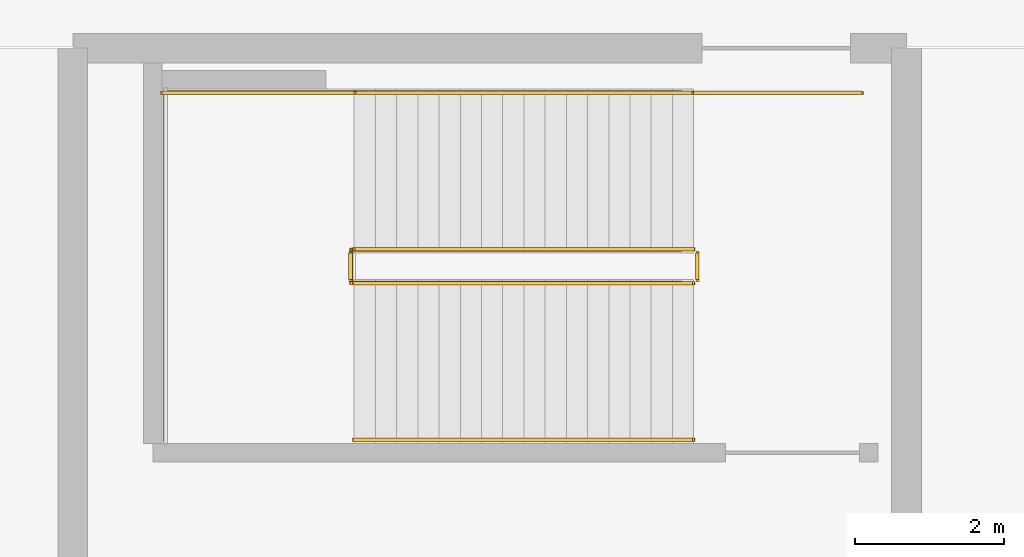
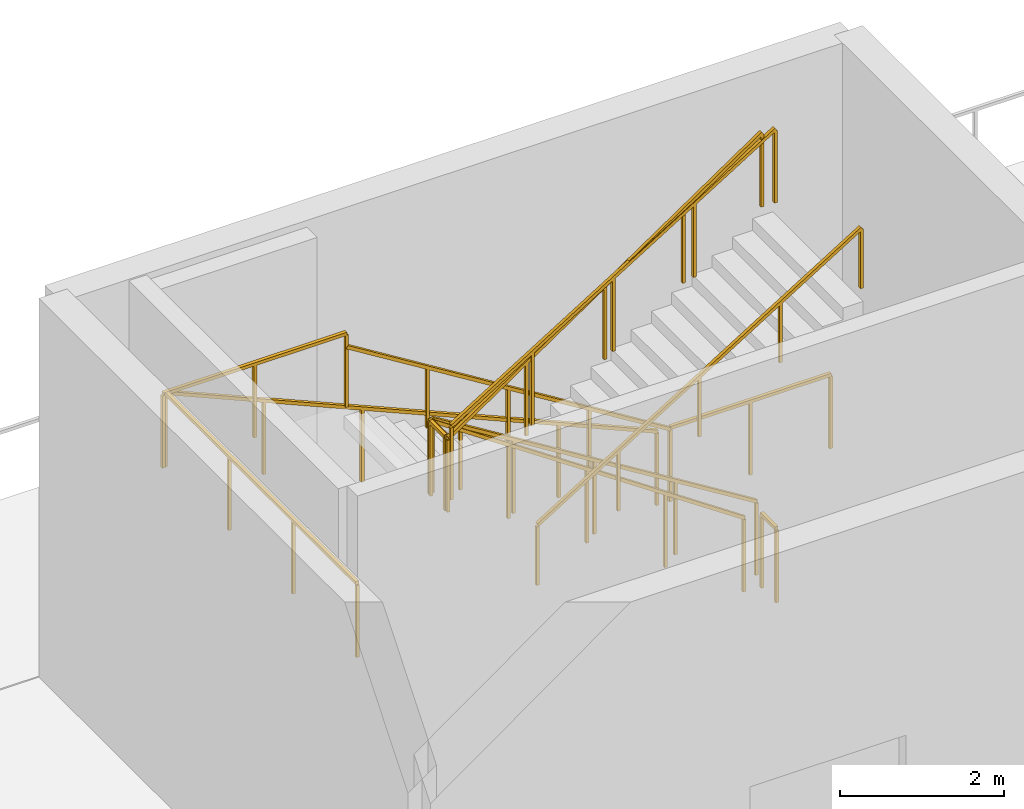
# One storey, part 162 of 163: 10 railings.
"""IFC4 building model written with IfcOpenShell, lengths in metres."""

from ifc_helpers import new_model, si_unit, direction, frame, origin, origin_2d, place, context, subcontext, project, spatial, rectangle, extrude, material, type_object, element, save


model = new_model("IFC4")

# Units and contexts
model_context = context("Model", 3, precision=1e-05, world=origin(), true_north=direction((0.0, 1.0)))
body_context = subcontext(model_context, "Body", "Model", "MODEL_VIEW")
ifc_project = project(units=[si_unit("LENGTHUNIT", "METRE"), si_unit("AREAUNIT", "SQUARE_METRE"), si_unit("VOLUMEUNIT", "CUBIC_METRE"), si_unit("PLANEANGLEUNIT", "RADIAN"), si_unit("MASSUNIT", "GRAM", prefix="KILO")], contexts=[model_context])

# Site, building, storey
site_placement = place(None, origin())
site = spatial("IfcSite", under=ifc_project, at=site_placement, CompositionType="ELEMENT")
building_placement = place(site_placement, origin())
building = spatial("IfcBuilding", under=site, at=building_placement, Name="Khorjan Park Terminus", CompositionType="ELEMENT")
storey_placement = place(building_placement, origin())
storey = spatial("IfcBuildingStorey", under=building, at=storey_placement, Name="L00", CompositionType="ELEMENT", Elevation=0.0)

# Railings
ifc_material = material(Name="Steel S355", Category="steel")
railing_type_1 = type_object("IfcRailingType", Name="GR-112", PredefinedType="GUARDRAIL", material=ifc_material)
railing_1_placement = place(storey_placement, frame((128.14, 151.3, 0.1765)))
element("IfcRailing", 1, at=railing_1_placement, inside=storey, type_object=railing_type_1, Name="L00 ST-07 stair guard 1", PredefinedType="GUARDRAIL", context=body_context, shape_type="SweptSolid", body=[
    extrude(rectangle(XDim=0.048, YDim=0.048, at=origin_2d()), frame((0.0, 0.0, 1.096), z_axis=(-0.850211499722, 0.0, 0.526441265234), x_axis=(0.0, -1.0, 0.0)), (0.0, 0.0, 1.0), 5.3634),
    extrude(rectangle(XDim=0.042, YDim=0.042, at=origin_2d()), origin(), (0.0, 0.0, 1.0), 1.072),
    extrude(rectangle(XDim=0.042, YDim=0.042, at=origin_2d()), frame((-1.14, 0.0, 0.7059)), (0.0, 0.0, 1.0), 1.072),
    extrude(rectangle(XDim=0.042, YDim=0.042, at=origin_2d()), frame((-2.28, 0.0, 1.4118)), (0.0, 0.0, 1.0), 1.072),
    extrude(rectangle(XDim=0.042, YDim=0.042, at=origin_2d()), frame((-3.42, 0.0, 2.1176)), (0.0, 0.0, 1.0), 1.072),
    extrude(rectangle(XDim=0.042, YDim=0.042, at=origin_2d()), frame((-4.56, 0.0, 2.8235)), (0.0, 0.0, 1.0), 1.072),
])
railing_2_placement = place(storey_placement, frame((123.53, 151.25, 3.0)))
element("IfcRailing", 2, at=railing_2_placement, inside=storey, type_object=railing_type_1, Name="L00 ST-07 stair guard 2", PredefinedType="GUARDRAIL", context=body_context, shape_type="SweptSolid", body=[
    extrude(rectangle(XDim=0.048, YDim=0.048, at=origin_2d()), frame((0.0, 0.0, 1.096), z_axis=(0.0, -1.0, 0.0), x_axis=(1.0, 0.0, 0.0)), (0.0, 0.0, 1.0), 0.36),
    extrude(rectangle(XDim=0.042, YDim=0.042, at=origin_2d()), origin(), (0.0, 0.0, 1.0), 1.072),
    extrude(rectangle(XDim=0.042, YDim=0.042, at=origin_2d()), frame((0.0, -0.36, 0.0)), (0.0, 0.0, 1.0), 1.072),
])
railing_3_placement = place(storey_placement, frame((123.58, 153.4, 3.0)))
element("IfcRailing", 3, at=railing_3_placement, inside=storey, type_object=railing_type_1, Name="L00 ST-07 stair guard 3", PredefinedType="GUARDRAIL", context=body_context, shape_type="SweptSolid", body=[
    extrude(rectangle(XDim=0.048, YDim=0.048, at=origin_2d()), frame((0.0, 0.0, 1.096), z_axis=(-1.0, 0.0, 0.0), x_axis=(0.0, -1.0, 0.0)), (0.0, 0.0, 1.0), 2.58),
    extrude(rectangle(XDim=0.042, YDim=0.042, at=origin_2d()), origin(), (0.0, 0.0, 1.0), 1.072),
    extrude(rectangle(XDim=0.042, YDim=0.042, at=origin_2d()), frame((-1.29, 0.0, 0.0)), (0.0, 0.0, 1.0), 1.072),
    extrude(rectangle(XDim=0.042, YDim=0.042, at=origin_2d()), frame((-2.58, 0.0, 0.0)), (0.0, 0.0, 1.0), 1.072),
])
railing_4_placement = place(storey_placement, frame((123.58, 150.84, 3.1765)))
element("IfcRailing", 4, at=railing_4_placement, inside=storey, type_object=railing_type_1, Name="L00 ST-07 stair guard 5", PredefinedType="GUARDRAIL", context=body_context, shape_type="SweptSolid", body=[
    extrude(rectangle(XDim=0.048, YDim=0.048, at=origin_2d()), frame((0.0, 0.0, 1.096), z_axis=(0.850211499722, 0.0, 0.526441265234), x_axis=(0.0, 1.0, 0.0)), (0.0, 0.0, 1.0), 5.3634),
    extrude(rectangle(XDim=0.042, YDim=0.042, at=origin_2d()), origin(), (0.0, 0.0, 1.0), 1.072),
    extrude(rectangle(XDim=0.042, YDim=0.042, at=origin_2d()), frame((1.14, 0.0, 0.7059)), (0.0, 0.0, 1.0), 1.072),
    extrude(rectangle(XDim=0.042, YDim=0.042, at=origin_2d()), frame((2.28, 0.0, 1.4118)), (0.0, 0.0, 1.0), 1.072),
    extrude(rectangle(XDim=0.042, YDim=0.042, at=origin_2d()), frame((3.42, 0.0, 2.1176)), (0.0, 0.0, 1.0), 1.072),
    extrude(rectangle(XDim=0.042, YDim=0.042, at=origin_2d()), frame((4.56, 0.0, 2.8235)), (0.0, 0.0, 1.0), 1.072),
])
railing_5_placement = place(storey_placement, frame((128.19, 151.25, 0.0)))
element("IfcRailing", 5, at=railing_5_placement, inside=storey, type_object=railing_type_1, Name="L00 ST-07 stair guard 6", PredefinedType="GUARDRAIL", context=body_context, shape_type="SweptSolid", body=[
    extrude(rectangle(XDim=0.048, YDim=0.048, at=origin_2d()), frame((0.0, 0.0, 1.096), z_axis=(0.0, -1.0, 0.0), x_axis=(1.0, 0.0, 0.0)), (0.0, 0.0, 1.0), 0.36),
    extrude(rectangle(XDim=0.042, YDim=0.042, at=origin_2d()), origin(), (0.0, 0.0, 1.0), 1.072),
    extrude(rectangle(XDim=0.042, YDim=0.042, at=origin_2d()), frame((0.0, -0.36, 0.0)), (0.0, 0.0, 1.0), 1.072),
])
railing_6_placement = place(storey_placement, frame((130.4, 153.4, 0.0)))
element("IfcRailing", 6, at=railing_6_placement, inside=storey, type_object=railing_type_1, Name="L00 ST-07 stair guard 7", PredefinedType="GUARDRAIL", context=body_context, shape_type="SweptSolid", body=[
    extrude(rectangle(XDim=0.048, YDim=0.048, at=origin_2d()), frame((0.0, 0.0, 1.096), z_axis=(-1.0, 0.0, 0.0), x_axis=(0.0, -1.0, 0.0)), (0.0, 0.0, 1.0), 2.26),
    extrude(rectangle(XDim=0.042, YDim=0.042, at=origin_2d()), origin(), (0.0, 0.0, 1.0), 1.072),
    extrude(rectangle(XDim=0.042, YDim=0.042, at=origin_2d()), frame((-1.13, 0.0, 0.0)), (0.0, 0.0, 1.0), 1.072),
    extrude(rectangle(XDim=0.042, YDim=0.042, at=origin_2d()), frame((-2.26, 0.0, 0.0)), (0.0, 0.0, 1.0), 1.072),
])
railing_7_placement = place(storey_placement, frame((127.96, 151.29, 0.0)))
element("IfcRailing", 7, at=railing_7_placement, inside=storey, type_object=railing_type_1, Name="Core K7 stair well slot guard GR-112 (L00)", PredefinedType="GUARDRAIL", context=body_context, shape_type="SweptSolid", body=[
    extrude(rectangle(XDim=0.048, YDim=0.048, at=origin_2d()), frame((0.0, 0.0, 1.096), z_axis=(-0.827413642594, 0.0, 0.561592970086), x_axis=(0.0, -1.0, 0.0)), (0.0, 0.0, 1.0), 5.3419),
    extrude(rectangle(XDim=0.048, YDim=0.048, at=origin_2d()), frame((-4.42, 0.0, 4.096), z_axis=(0.0, -1.0, 0.0), x_axis=(1.0, 0.0, 0.0)), (0.0, 0.0, 1.0), 0.44),
    extrude(rectangle(XDim=0.048, YDim=0.048, at=origin_2d()), frame((-4.42, -0.44, 4.096), z_axis=(0.827413642594, 0.0, 0.561592970086), x_axis=(0.0, 1.0, 0.0)), (0.0, 0.0, 1.0), 5.3419),
    extrude(rectangle(XDim=0.042, YDim=0.042, at=origin_2d()), origin(), (0.0, 0.0, 1.0), 1.072),
    extrude(rectangle(XDim=0.042, YDim=0.042, at=origin_2d()), frame((-1.105, 0.0, 0.75)), (0.0, 0.0, 1.0), 1.072),
    extrude(rectangle(XDim=0.042, YDim=0.042, at=origin_2d()), frame((-2.21, 0.0, 1.5)), (0.0, 0.0, 1.0), 1.072),
    extrude(rectangle(XDim=0.042, YDim=0.042, at=origin_2d()), frame((-3.315, 0.0, 2.25)), (0.0, 0.0, 1.0), 1.072),
    extrude(rectangle(XDim=0.042, YDim=0.042, at=origin_2d()), frame((-4.42, 0.0, 3.0)), (0.0, 0.0, 1.0), 1.072),
    extrude(rectangle(XDim=0.042, YDim=0.042, at=origin_2d()), frame((-4.42, -0.44, 3.0)), (0.0, 0.0, 1.0), 1.072),
    extrude(rectangle(XDim=0.042, YDim=0.042, at=origin_2d()), frame((-3.315, -0.44, 3.75)), (0.0, 0.0, 1.0), 1.072),
    extrude(rectangle(XDim=0.042, YDim=0.042, at=origin_2d()), frame((-2.21, -0.44, 4.5)), (0.0, 0.0, 1.0), 1.072),
    extrude(rectangle(XDim=0.042, YDim=0.042, at=origin_2d()), frame((-1.105, -0.44, 5.25)), (0.0, 0.0, 1.0), 1.072),
    extrude(rectangle(XDim=0.042, YDim=0.042, at=origin_2d()), frame((0.0, -0.44, 6.0)), (0.0, 0.0, 1.0), 1.072),
])
railing_8_placement = place(storey_placement, frame((127.96, 153.41, 0.0)))
element("IfcRailing", 8, at=railing_8_placement, inside=storey, type_object=railing_type_1, Name="Core K7 stair side & landing guard GR-112 (L00)", PredefinedType="GUARDRAIL", context=body_context, shape_type="SweptSolid", body=[
    extrude(rectangle(XDim=0.048, YDim=0.048, at=origin_2d()), frame((0.0, 0.0, 1.096), z_axis=(-0.917491118927, 0.0, 0.397756265431), x_axis=(0.0, -1.0, 0.0)), (0.0, 0.0, 1.0), 7.5423),
    extrude(rectangle(XDim=0.048, YDim=0.048, at=origin_2d()), frame((-6.92, 0.0, 4.096), z_axis=(0.0, -1.0, 0.0), x_axis=(1.0, 0.0, 0.0)), (0.0, 0.0, 1.0), 4.68),
    extrude(rectangle(XDim=0.042, YDim=0.042, at=origin_2d()), origin(), (0.0, 0.0, 1.0), 1.072),
    extrude(rectangle(XDim=0.042, YDim=0.042, at=origin_2d()), frame((-1.384, 0.0, 0.6)), (0.0, 0.0, 1.0), 1.072),
    extrude(rectangle(XDim=0.042, YDim=0.042, at=origin_2d()), frame((-2.768, 0.0, 1.2)), (0.0, 0.0, 1.0), 1.072),
    extrude(rectangle(XDim=0.042, YDim=0.042, at=origin_2d()), frame((-4.152, 0.0, 1.8)), (0.0, 0.0, 1.0), 1.072),
    extrude(rectangle(XDim=0.042, YDim=0.042, at=origin_2d()), frame((-5.536, 0.0, 2.4)), (0.0, 0.0, 1.0), 1.072),
    extrude(rectangle(XDim=0.042, YDim=0.042, at=origin_2d()), frame((-6.92, 0.0, 3.0)), (0.0, 0.0, 1.0), 1.072),
    extrude(rectangle(XDim=0.042, YDim=0.042, at=origin_2d()), frame((-6.92, -1.56, 3.0)), (0.0, 0.0, 1.0), 1.072),
    extrude(rectangle(XDim=0.042, YDim=0.042, at=origin_2d()), frame((-6.92, -3.12, 3.0)), (0.0, 0.0, 1.0), 1.072),
    extrude(rectangle(XDim=0.042, YDim=0.042, at=origin_2d()), frame((-6.92, -4.68, 3.0)), (0.0, 0.0, 1.0), 1.072),
])
railing_type_2 = type_object("IfcRailingType", Name="HR-92", PredefinedType="HANDRAIL", material=ifc_material)
railing_9_placement = place(storey_placement, frame((128.14, 153.4, 0.1765)))
element("IfcRailing", 9, at=railing_9_placement, inside=storey, type_object=railing_type_2, Name="L00 ST-07 stair handrail 1", PredefinedType="HANDRAIL", context=body_context, shape_type="SweptSolid", body=[
    extrude(rectangle(XDim=0.048, YDim=0.048, at=origin_2d()), frame((0.0, 0.0, 0.896), z_axis=(-0.850211499722, 0.0, 0.526441265234), x_axis=(0.0, -1.0, 0.0)), (0.0, 0.0, 1.0), 5.3634),
    extrude(rectangle(XDim=0.042, YDim=0.042, at=origin_2d()), origin(), (0.0, 0.0, 1.0), 0.872),
    extrude(rectangle(XDim=0.042, YDim=0.042, at=origin_2d()), frame((-1.14, 0.0, 0.7059)), (0.0, 0.0, 1.0), 0.872),
    extrude(rectangle(XDim=0.042, YDim=0.042, at=origin_2d()), frame((-2.28, 0.0, 1.4118)), (0.0, 0.0, 1.0), 0.872),
    extrude(rectangle(XDim=0.042, YDim=0.042, at=origin_2d()), frame((-3.42, 0.0, 2.1176)), (0.0, 0.0, 1.0), 0.872),
    extrude(rectangle(XDim=0.042, YDim=0.042, at=origin_2d()), frame((-4.56, 0.0, 2.8235)), (0.0, 0.0, 1.0), 0.872),
])
railing_10_placement = place(storey_placement, frame((123.58, 148.74, 3.1765)))
element("IfcRailing", 10, at=railing_10_placement, inside=storey, type_object=railing_type_2, Name="L00 ST-07 stair handrail 2", PredefinedType="HANDRAIL", context=body_context, shape_type="SweptSolid", body=[
    extrude(rectangle(XDim=0.048, YDim=0.048, at=origin_2d()), frame((0.0, 0.0, 0.896), z_axis=(0.850211499722, 0.0, 0.526441265234), x_axis=(0.0, 1.0, 0.0)), (0.0, 0.0, 1.0), 5.3634),
    extrude(rectangle(XDim=0.042, YDim=0.042, at=origin_2d()), origin(), (0.0, 0.0, 1.0), 0.872),
    extrude(rectangle(XDim=0.042, YDim=0.042, at=origin_2d()), frame((1.14, 0.0, 0.7059)), (0.0, 0.0, 1.0), 0.872),
    extrude(rectangle(XDim=0.042, YDim=0.042, at=origin_2d()), frame((2.28, 0.0, 1.4118)), (0.0, 0.0, 1.0), 0.872),
    extrude(rectangle(XDim=0.042, YDim=0.042, at=origin_2d()), frame((3.42, 0.0, 2.1176)), (0.0, 0.0, 1.0), 0.872),
    extrude(rectangle(XDim=0.042, YDim=0.042, at=origin_2d()), frame((4.56, 0.0, 2.8235)), (0.0, 0.0, 1.0), 0.872),
])

save(model, "model.ifc")
